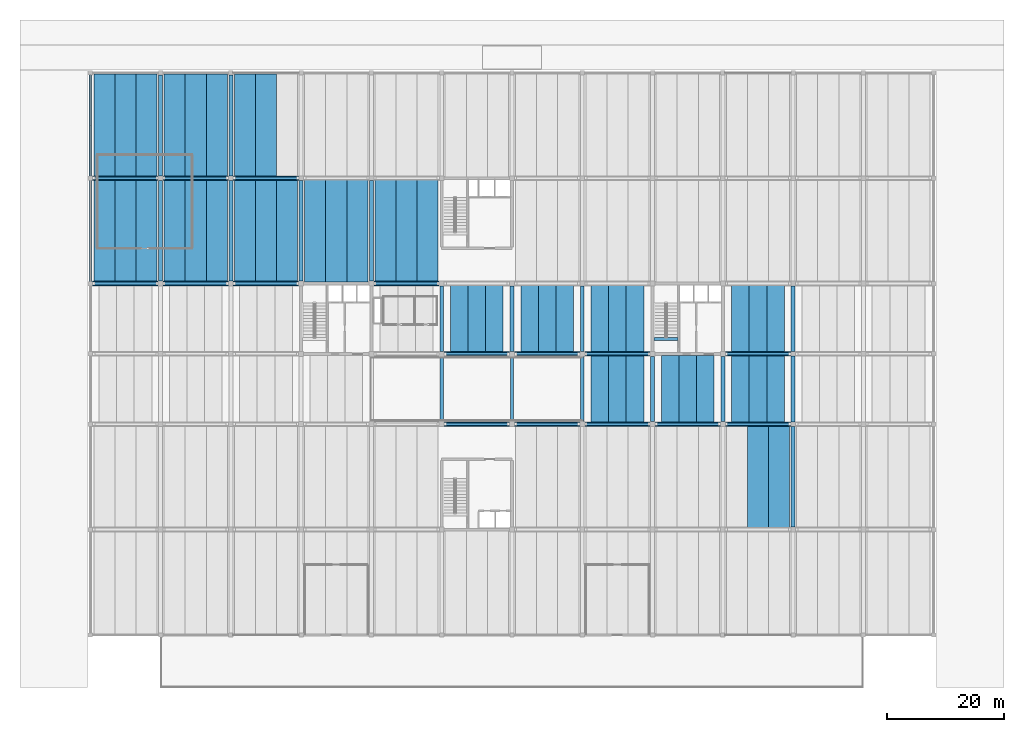
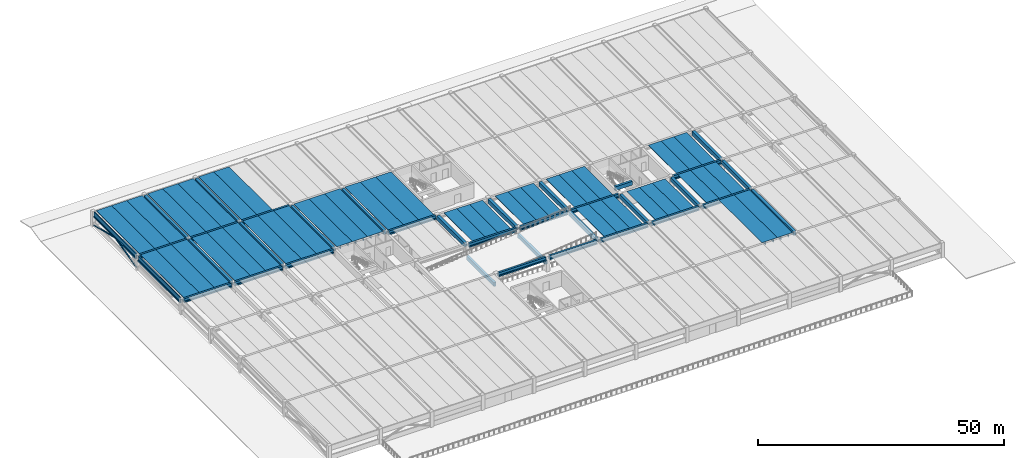
# One storey, part 3 of 16: 82 beams, 2 members.
"""IFC4 building model written with IfcOpenShell, lengths in metres."""

from ifc_helpers import new_model, si_unit, direction, frame, origin, origin_2d, place, context, subcontext, project, spatial, polyline, rectangle, hollow_rectangle, outline, extrude, material, material_profile, profile_set, type_object, element, save


model = new_model("IFC4")

# Units and contexts
model_context = context("Model", 3, precision=1e-05, world=origin(), true_north=direction((0.0, 1.0)))
body_context = subcontext(model_context, "Body", "Model", "MODEL_VIEW")
ifc_project = project(units=[si_unit("LENGTHUNIT", "METRE"), si_unit("AREAUNIT", "SQUARE_METRE"), si_unit("VOLUMEUNIT", "CUBIC_METRE"), si_unit("PLANEANGLEUNIT", "RADIAN"), si_unit("MASSUNIT", "GRAM", prefix="KILO")], contexts=[model_context])

# Site, building, storey
site_placement = place(None, origin())
site = spatial("IfcSite", under=ifc_project, at=site_placement, CompositionType="ELEMENT")
building_placement = place(site_placement, origin())
building = spatial("IfcBuilding", under=site, at=building_placement, Name="Girod Span Mobility Hub", CompositionType="ELEMENT")
storey_placement = place(building_placement, frame((0.0, 0.0, 21.0)))
storey = spatial("IfcBuildingStorey", under=building, at=storey_placement, Name="L05", CompositionType="ELEMENT", Elevation=21.0)

# Beams
ifc_material_1 = material(Name="Concrete C50/60", Category="concrete")
ifc_material_profile_1 = material_profile(ifc_material_1, outline(polyline([(-1.5, 0.300048828125), (-1.5, 0.2099609375), (-0.8349609375, 0.2099609375), (-0.8125, -0.300048828125), (-0.6875, -0.300048828125), (-0.6650390625, 0.2099609375), (0.6650390625, 0.2099609375), (0.6875, -0.300048828125), (0.8125, -0.300048828125), (0.8349609375, 0.2099609375), (1.5, 0.2099609375), (1.5, 0.300048828125), (-1.5, 0.300048828125)])), Name="DT-3000X600")
ifc_profile_set_1 = profile_set([ifc_material_profile_1], Name="Concrete C50/60")
beam_type_1 = type_object("IfcBeamType", Name="BM-DT-3000X600", PredefinedType="JOIST", material=ifc_profile_set_1)
for number, where, z_axis, x_axis, name in (
    (1, (75.0, 57.22705078125, 3.3349609375), (0.0, 1.0, 0.0), (-1.0, 0.0, 0.0), "Double-Tee Deck 7/E-1 L05"),
    (2, (78.0, 57.22705078125, 3.3349609375), (0.0, 1.0, 0.0), (-1.0, 0.0, 0.0), "Double-Tee Deck 7/E-2 L05"),
    (3, (81.0, 57.22705078125, 3.3349609375), (0.0, 1.0, 0.0), (-1.0, 0.0, 0.0), "Double-Tee Deck 7/E-3 L05"),
    (4, (87.0, 57.22705078125, 3.3349609375), (0.0, 1.0, 0.0), (-1.0, 0.0, 0.0), "Double-Tee Deck 8/E-1 L05"),
    (5, (90.0, 57.22705078125, 3.3349609375), (0.0, 1.0, 0.0), (-1.0, 0.0, 0.0), "Double-Tee Deck 8/E-2 L05"),
    (6, (93.0, 57.22705078125, 3.3349609375), (0.0, 1.0, 0.0), (-1.0, 0.0, 0.0), "Double-Tee Deck 8/E-3 L05"),
    (7, (99.0, 45.22705078125, 3.3349609375), (0.0, 1.0, 0.0), (-1.0, 0.0, 0.0), "Double-Tee Deck 9/D-1 L05"),
    (8, (102.0, 45.22705078125, 3.3349609375), (0.0, 1.0, 0.0), (-1.0, 0.0, 0.0), "Double-Tee Deck 9/D-2 L05"),
    (9, (105.0, 45.22705078125, 3.3349609375), (0.0, 1.0, 0.0), (-1.0, 0.0, 0.0), "Double-Tee Deck 9/D-3 L05"),
    (10, (99.0, 57.22705078125, 3.3349609375), (0.0, 1.0, 0.0), (-1.0, 0.0, 0.0), "Double-Tee Deck 9/E-1 L05"),
    (11, (102.0, 57.22705078125, 3.3349609375), (0.0, 1.0, 0.0), (-1.0, 0.0, 0.0), "Double-Tee Deck 9/E-2 L05"),
    (12, (105.0, 57.22705078125, 3.3349609375), (0.0, 1.0, 0.0), (-1.0, 0.0, 0.0), "Double-Tee Deck 9/E-3 L05"),
):
    element("IfcBeam", number, at=place(storey_placement, frame(where, z_axis=z_axis, x_axis=x_axis)), inside=storey, type_object=beam_type_1, Name=name, PredefinedType="JOIST", context=body_context, shape_type="SweptSolid", body=[
        extrude(outline(polyline([(-1.5, 0.300048828125), (-1.5, 0.2099609375), (-0.8349609375, 0.2099609375), (-0.8125, -0.300048828125), (-0.6875, -0.300048828125), (-0.6650390625, 0.2099609375), (0.6650390625, 0.2099609375), (0.6875, -0.300048828125), (0.8125, -0.300048828125), (0.8349609375, 0.2099609375), (1.5, 0.2099609375), (1.5, 0.300048828125), (-1.5, 0.300048828125)])), origin(), (0.0, 0.0, 1.0), 11.5458984375),
    ])
for number, where, z_axis, x_axis, name in (
    (13, (111.0, 45.22705078125, 3.3349609375), (0.0, 1.0, 0.0), (-1.0, 0.0, 0.0), "Double-Tee Deck 10/D-1 L05"),
    (14, (114.0, 45.22705078125, 3.3349609375), (0.0, 1.0, 0.0), (-1.0, 0.0, 0.0), "Double-Tee Deck 10/D-2 L05"),
    (15, (117.0, 45.22705078125, 3.3349609375), (0.0, 1.0, 0.0), (-1.0, 0.0, 0.0), "Double-Tee Deck 10/D-3 L05"),
):
    element("IfcBeam", number, at=place(storey_placement, frame(where, z_axis=z_axis, x_axis=x_axis)), inside=storey, type_object=beam_type_1, Name=name, PredefinedType="JOIST", context=body_context, shape_type="SweptSolid", body=[
        extrude(outline(polyline([(-1.5, 0.300048828125), (-1.5, 0.2099609375), (-0.8349609375, 0.2099609375), (-0.8125, -0.300048828125), (-0.6875, -0.300048828125), (-0.6650390625, 0.2099609375), (0.6650390625, 0.2099609375), (0.6875, -0.300048828125), (0.8125, -0.300048828125), (0.8349609375, 0.2099609375), (1.5, 0.2099609375), (1.5, 0.300048828125), (-1.5, 0.300048828125)])), origin(), (0.0, 0.0, 1.0), 11.52587890625),
    ])
for number, where, z_axis, x_axis, name in (
    (16, (123.0, 45.22705078125, 3.3349609375), (0.0, 1.0, 0.0), (-1.0, 0.0, 0.0), "Double-Tee Deck 11/D-1 L05"),
    (17, (126.0, 45.22705078125, 3.3349609375), (0.0, 1.0, 0.0), (-1.0, 0.0, 0.0), "Double-Tee Deck 11/D-2 L05"),
    (18, (129.0, 45.22705078125, 3.3349609375), (0.0, 1.0, 0.0), (-1.0, 0.0, 0.0), "Double-Tee Deck 11/D-3 L05"),
    (19, (123.0, 57.22705078125, 3.3349609375), (0.0, 1.0, 0.0), (-1.0, 0.0, 0.0), "Double-Tee Deck 11/E-1 L05"),
    (20, (126.0, 57.22705078125, 3.3349609375), (0.0, 1.0, 0.0), (-1.0, 0.0, 0.0), "Double-Tee Deck 11/E-2 L05"),
    (21, (129.0, 57.22705078125, 3.3349609375), (0.0, 1.0, 0.0), (-1.0, 0.0, 0.0), "Double-Tee Deck 11/E-3 L05"),
):
    element("IfcBeam", number, at=place(storey_placement, frame(where, z_axis=z_axis, x_axis=x_axis)), inside=storey, type_object=beam_type_1, Name=name, PredefinedType="JOIST", context=body_context, shape_type="SweptSolid", body=[
        extrude(outline(polyline([(-1.5, 0.300048828125), (-1.5, 0.2099609375), (-0.8349609375, 0.2099609375), (-0.8125, -0.300048828125), (-0.6875, -0.300048828125), (-0.6650390625, 0.2099609375), (0.6650390625, 0.2099609375), (0.6875, -0.300048828125), (0.8125, -0.300048828125), (0.8349609375, 0.2099609375), (1.5, 0.2099609375), (1.5, 0.300048828125), (-1.5, 0.300048828125)])), origin(), (0.0, 0.0, 1.0), 11.5458984375),
    ])
ifc_material_2 = material(Name="Concrete C50/60", Category="concrete")
ifc_material_profile_2 = material_profile(ifc_material_2, outline(polyline([(-1.800048828125, 0.425048828125), (-1.800048828125, 0.324951171875), (-1.0, 0.324951171875), (-0.969970703125, -0.425048828125), (-0.830078125, -0.425048828125), (-0.800048828125, 0.324951171875), (0.800048828125, 0.324951171875), (0.830078125, -0.425048828125), (0.969970703125, -0.425048828125), (1.0, 0.324951171875), (1.800048828125, 0.324951171875), (1.800048828125, 0.425048828125), (-1.800048828125, 0.425048828125)])), Name="DT-3600X850")
ifc_profile_set_2 = profile_set([ifc_material_profile_2], Name="Concrete C50/60")
beam_type_2 = type_object("IfcBeamType", Name="BM-DT-3600X850", PredefinedType="JOIST", material=ifc_profile_set_2)
for number, where, z_axis, x_axis, name in (
    (22, (14.39990234375, 69.22705078125, 3.2099609375), (0.0, 1.0, 0.0), (-1.0, 0.0, 0.0), "Double-Tee Deck 2/F-1 L05"),
    (23, (18.0, 69.22705078125, 3.2099609375), (0.0, 1.0, 0.0), (-1.0, 0.0, 0.0), "Double-Tee Deck 2/F-2 L05"),
    (24, (21.60009765625, 69.22705078125, 3.2099609375), (0.0, 1.0, 0.0), (-1.0, 0.0, 0.0), "Double-Tee Deck 2/F-3 L05"),
):
    element("IfcBeam", number, at=place(storey_placement, frame(where, z_axis=z_axis, x_axis=x_axis)), inside=storey, type_object=beam_type_2, Name=name, PredefinedType="JOIST", context=body_context, shape_type="SweptSolid", body=[
        extrude(outline(polyline([(-1.800048828125, 0.425048828125), (-1.800048828125, 0.324951171875), (-1.0, 0.324951171875), (-0.969970703125, -0.425048828125), (-0.830078125, -0.425048828125), (-0.800048828125, 0.324951171875), (0.800048828125, 0.324951171875), (0.830078125, -0.425048828125), (0.969970703125, -0.425048828125), (1.0, 0.324951171875), (1.800048828125, 0.324951171875), (1.800048828125, 0.425048828125), (-1.800048828125, 0.425048828125)])), origin(), (0.0, 0.0, 1.0), 17.5458984375),
    ])
for number, where, z_axis, x_axis, name in (
    (25, (14.39990234375, 87.22705078125, 3.2099609375), (0.0, 1.0, 0.0), (-1.0, 0.0, 0.0), "Double-Tee Deck 2/G-1 L05"),
    (26, (18.0, 87.22705078125, 3.2099609375), (0.0, 1.0, 0.0), (-1.0, 0.0, 0.0), "Double-Tee Deck 2/G-2 L05"),
    (27, (21.60009765625, 87.22705078125, 3.2099609375), (0.0, 1.0, 0.0), (-1.0, 0.0, 0.0), "Double-Tee Deck 2/G-3 L05"),
):
    element("IfcBeam", number, at=place(storey_placement, frame(where, z_axis=z_axis, x_axis=x_axis)), inside=storey, type_object=beam_type_2, Name=name, PredefinedType="JOIST", context=body_context, shape_type="SweptSolid", body=[
        extrude(outline(polyline([(-1.800048828125, 0.425048828125), (-1.800048828125, 0.324951171875), (-1.0, 0.324951171875), (-0.969970703125, -0.425048828125), (-0.830078125, -0.425048828125), (-0.800048828125, 0.324951171875), (0.800048828125, 0.324951171875), (0.830078125, -0.425048828125), (0.969970703125, -0.425048828125), (1.0, 0.324951171875), (1.800048828125, 0.324951171875), (1.800048828125, 0.425048828125), (-1.800048828125, 0.425048828125)])), origin(), (0.0, 0.0, 1.0), 17.575927734375),
    ])
for number, where, z_axis, x_axis, name in (
    (28, (26.39990234375, 69.22705078125, 3.2099609375), (0.0, 1.0, 0.0), (-1.0, 0.0, 0.0), "Double-Tee Deck 3/F-1 L05"),
    (29, (30.0, 69.22705078125, 3.2099609375), (0.0, 1.0, 0.0), (-1.0, 0.0, 0.0), "Double-Tee Deck 3/F-2 L05"),
    (30, (33.60009765625, 69.22705078125, 3.2099609375), (0.0, 1.0, 0.0), (-1.0, 0.0, 0.0), "Double-Tee Deck 3/F-3 L05"),
):
    element("IfcBeam", number, at=place(storey_placement, frame(where, z_axis=z_axis, x_axis=x_axis)), inside=storey, type_object=beam_type_2, Name=name, PredefinedType="JOIST", context=body_context, shape_type="SweptSolid", body=[
        extrude(outline(polyline([(-1.800048828125, 0.425048828125), (-1.800048828125, 0.324951171875), (-1.0, 0.324951171875), (-0.969970703125, -0.425048828125), (-0.830078125, -0.425048828125), (-0.800048828125, 0.324951171875), (0.800048828125, 0.324951171875), (0.830078125, -0.425048828125), (0.969970703125, -0.425048828125), (1.0, 0.324951171875), (1.800048828125, 0.324951171875), (1.800048828125, 0.425048828125), (-1.800048828125, 0.425048828125)])), origin(), (0.0, 0.0, 1.0), 17.5458984375),
    ])
for number, where, z_axis, x_axis, name in (
    (31, (26.39990234375, 87.22705078125, 3.2099609375), (0.0, 1.0, 0.0), (-1.0, 0.0, 0.0), "Double-Tee Deck 3/G-1 L05"),
    (32, (30.0, 87.22705078125, 3.2099609375), (0.0, 1.0, 0.0), (-1.0, 0.0, 0.0), "Double-Tee Deck 3/G-2 L05"),
    (33, (33.60009765625, 87.22705078125, 3.2099609375), (0.0, 1.0, 0.0), (-1.0, 0.0, 0.0), "Double-Tee Deck 3/G-3 L05"),
):
    element("IfcBeam", number, at=place(storey_placement, frame(where, z_axis=z_axis, x_axis=x_axis)), inside=storey, type_object=beam_type_2, Name=name, PredefinedType="JOIST", context=body_context, shape_type="SweptSolid", body=[
        extrude(outline(polyline([(-1.800048828125, 0.425048828125), (-1.800048828125, 0.324951171875), (-1.0, 0.324951171875), (-0.969970703125, -0.425048828125), (-0.830078125, -0.425048828125), (-0.800048828125, 0.324951171875), (0.800048828125, 0.324951171875), (0.830078125, -0.425048828125), (0.969970703125, -0.425048828125), (1.0, 0.324951171875), (1.800048828125, 0.324951171875), (1.800048828125, 0.425048828125), (-1.800048828125, 0.425048828125)])), origin(), (0.0, 0.0, 1.0), 17.575927734375),
    ])
for number, where, z_axis, x_axis, name in (
    (34, (38.39990234375, 69.22705078125, 3.2099609375), (0.0, 1.0, 0.0), (-1.0, 0.0, 0.0), "Double-Tee Deck 4/F-1 L05"),
    (35, (42.0, 69.22705078125, 3.2099609375), (0.0, 1.0, 0.0), (-1.0, 0.0, 0.0), "Double-Tee Deck 4/F-2 L05"),
    (36, (45.60009765625, 69.22705078125, 3.2099609375), (0.0, 1.0, 0.0), (-1.0, 0.0, 0.0), "Double-Tee Deck 4/F-3 L05"),
):
    element("IfcBeam", number, at=place(storey_placement, frame(where, z_axis=z_axis, x_axis=x_axis)), inside=storey, type_object=beam_type_2, Name=name, PredefinedType="JOIST", context=body_context, shape_type="SweptSolid", body=[
        extrude(outline(polyline([(-1.800048828125, 0.425048828125), (-1.800048828125, 0.324951171875), (-1.0, 0.324951171875), (-0.969970703125, -0.425048828125), (-0.830078125, -0.425048828125), (-0.800048828125, 0.324951171875), (0.800048828125, 0.324951171875), (0.830078125, -0.425048828125), (0.969970703125, -0.425048828125), (1.0, 0.324951171875), (1.800048828125, 0.324951171875), (1.800048828125, 0.425048828125), (-1.800048828125, 0.425048828125)])), origin(), (0.0, 0.0, 1.0), 17.5458984375),
    ])
for number, where, z_axis, x_axis, name in (
    (37, (38.39990234375, 87.22705078125, 3.2099609375), (0.0, 1.0, 0.0), (-1.0, 0.0, 0.0), "Double-Tee Deck 4/G-1 L05"),
    (38, (42.0, 87.22705078125, 3.2099609375), (0.0, 1.0, 0.0), (-1.0, 0.0, 0.0), "Double-Tee Deck 4/G-2 L05"),
):
    element("IfcBeam", number, at=place(storey_placement, frame(where, z_axis=z_axis, x_axis=x_axis)), inside=storey, type_object=beam_type_2, Name=name, PredefinedType="JOIST", context=body_context, shape_type="SweptSolid", body=[
        extrude(outline(polyline([(-1.800048828125, 0.425048828125), (-1.800048828125, 0.324951171875), (-1.0, 0.324951171875), (-0.969970703125, -0.425048828125), (-0.830078125, -0.425048828125), (-0.800048828125, 0.324951171875), (0.800048828125, 0.324951171875), (0.830078125, -0.425048828125), (0.969970703125, -0.425048828125), (1.0, 0.324951171875), (1.800048828125, 0.324951171875), (1.800048828125, 0.425048828125), (-1.800048828125, 0.425048828125)])), origin(), (0.0, 0.0, 1.0), 17.575927734375),
    ])
for number, where, z_axis, x_axis, name in (
    (39, (50.39990234375, 69.2470703125, 3.2099609375), (0.0, 1.0, 0.0), (-1.0, 0.0, 0.0), "Double-Tee Deck 5/F-1 L05"),
    (40, (54.0, 69.2470703125, 3.2099609375), (0.0, 1.0, 0.0), (-1.0, 0.0, 0.0), "Double-Tee Deck 5/F-2 L05"),
    (41, (57.60009765625, 69.2470703125, 3.2099609375), (0.0, 1.0, 0.0), (-1.0, 0.0, 0.0), "Double-Tee Deck 5/F-3 L05"),
):
    element("IfcBeam", number, at=place(storey_placement, frame(where, z_axis=z_axis, x_axis=x_axis)), inside=storey, type_object=beam_type_2, Name=name, PredefinedType="JOIST", context=body_context, shape_type="SweptSolid", body=[
        extrude(outline(polyline([(-1.800048828125, 0.425048828125), (-1.800048828125, 0.324951171875), (-1.0, 0.324951171875), (-0.969970703125, -0.425048828125), (-0.830078125, -0.425048828125), (-0.800048828125, 0.324951171875), (0.800048828125, 0.324951171875), (0.830078125, -0.425048828125), (0.969970703125, -0.425048828125), (1.0, 0.324951171875), (1.800048828125, 0.324951171875), (1.800048828125, 0.425048828125), (-1.800048828125, 0.425048828125)])), origin(), (0.0, 0.0, 1.0), 17.52587890625),
    ])
for number, where, z_axis, x_axis, name in (
    (42, (62.39990234375, 69.22705078125, 3.2099609375), (0.0, 1.0, 0.0), (-1.0, 0.0, 0.0), "Double-Tee Deck 6/F-1 L05"),
    (43, (66.0, 69.22705078125, 3.2099609375), (0.0, 1.0, 0.0), (-1.0, 0.0, 0.0), "Double-Tee Deck 6/F-2 L05"),
    (44, (69.60009765625, 69.22705078125, 3.2099609375), (0.0, 1.0, 0.0), (-1.0, 0.0, 0.0), "Double-Tee Deck 6/F-3 L05"),
    (45, (126.0, 27.22705078125, 3.2099609375), (0.0, 1.0, 0.0), (-1.0, 0.0, 0.0), "Double-Tee Deck 11/C-2 L05"),
    (46, (129.60009765625, 27.22705078125, 3.2099609375), (0.0, 1.0, 0.0), (-1.0, 0.0, 0.0), "Double-Tee Deck 11/C-3 L05"),
):
    element("IfcBeam", number, at=place(storey_placement, frame(where, z_axis=z_axis, x_axis=x_axis)), inside=storey, type_object=beam_type_2, Name=name, PredefinedType="JOIST", context=body_context, shape_type="SweptSolid", body=[
        extrude(outline(polyline([(-1.800048828125, 0.425048828125), (-1.800048828125, 0.324951171875), (-1.0, 0.324951171875), (-0.969970703125, -0.425048828125), (-0.830078125, -0.425048828125), (-0.800048828125, 0.324951171875), (0.800048828125, 0.324951171875), (0.830078125, -0.425048828125), (0.969970703125, -0.425048828125), (1.0, 0.324951171875), (1.800048828125, 0.324951171875), (1.800048828125, 0.425048828125), (-1.800048828125, 0.425048828125)])), origin(), (0.0, 0.0, 1.0), 17.5458984375),
    ])
ifc_material_3 = material(Name="Concrete C50/60", Category="concrete")
ifc_material_profile_3 = material_profile(ifc_material_3, outline(polyline([(-0.39990234375, -0.449951171875), (0.39990234375, -0.449951171875), (0.39990234375, -0.14990234375), (0.22998046875, -0.14990234375), (0.22998046875, 0.449951171875), (-0.22998046875, 0.449951171875), (-0.22998046875, -0.14990234375), (-0.39990234375, -0.14990234375), (-0.39990234375, -0.449951171875)])), Name="IT-800X900")
ifc_profile_set_3 = profile_set([ifc_material_profile_3], Name="Concrete C50/60")
beam_type_3 = type_object("IfcBeamType", Name="BM-IT-800X900", PredefinedType="T_BEAM", material=ifc_profile_set_3)
for number, where, z_axis, x_axis, name in (
    (47, (72.422119140625, 45.0, 3.18505859375), (1.0, 0.0, 0.0), (0.0, 1.0, 0.0), "Girder 7-8/D L05"),
    (48, (84.422119140625, 45.0, 3.18505859375), (1.0, 0.0, 0.0), (0.0, 1.0, 0.0), "Girder 8-9/D L05"),
    (49, (96.422119140625, 45.0, 3.18505859375), (1.0, 0.0, 0.0), (0.0, 1.0, 0.0), "Girder 9-10/D L05"),
    (50, (108.422119140625, 45.0, 3.18505859375), (1.0, 0.0, 0.0), (0.0, 1.0, 0.0), "Girder 10-11/D L05"),
):
    element("IfcBeam", number, at=place(storey_placement, frame(where, z_axis=z_axis, x_axis=x_axis)), inside=storey, type_object=beam_type_3, Name=name, PredefinedType="T_BEAM", context=body_context, shape_type="SweptSolid", body=[
        extrude(outline(polyline([(-0.39990234375, -0.449951171875), (0.39990234375, -0.449951171875), (0.39990234375, -0.14990234375), (0.22998046875, -0.14990234375), (0.22998046875, 0.449951171875), (-0.22998046875, 0.449951171875), (-0.22998046875, -0.14990234375), (-0.39990234375, -0.14990234375), (-0.39990234375, -0.449951171875)])), origin(), (0.0, 0.0, 1.0), 11.15576171875),
    ])
beam_1_placement = place(storey_placement, frame((120.422119140625, 45.0, 3.18505859375), z_axis=(1.0, 0.0, 0.0), x_axis=(0.0, 1.0, 0.0)))
element("IfcBeam", 51, at=beam_1_placement, inside=storey, type_object=beam_type_3, Name="Girder 11-12/D L05", PredefinedType="T_BEAM", context=body_context, shape_type="SweptSolid", body=[
    extrude(outline(polyline([(-0.39990234375, -0.449951171875), (0.39990234375, -0.449951171875), (0.39990234375, -0.14990234375), (0.22998046875, -0.14990234375), (0.22998046875, 0.449951171875), (-0.22998046875, 0.449951171875), (-0.22998046875, -0.14990234375), (-0.39990234375, -0.14990234375), (-0.39990234375, -0.449951171875)])), origin(), (0.0, 0.0, 1.0), 11.180908203125),
])
for number, where, z_axis, x_axis, name in (
    (52, (72.422119140625, 57.0, 3.18505859375), (1.0, 0.0, 0.0), (0.0, 1.0, 0.0), "Girder 7-8/E L05"),
    (53, (84.422119140625, 57.0, 3.18505859375), (1.0, 0.0, 0.0), (0.0, 1.0, 0.0), "Girder 8-9/E L05"),
    (54, (96.422119140625, 57.0, 3.18505859375), (1.0, 0.0, 0.0), (0.0, 1.0, 0.0), "Girder 9-10/E L05"),
):
    element("IfcBeam", number, at=place(storey_placement, frame(where, z_axis=z_axis, x_axis=x_axis)), inside=storey, type_object=beam_type_3, Name=name, PredefinedType="T_BEAM", context=body_context, shape_type="SweptSolid", body=[
        extrude(outline(polyline([(-0.39990234375, -0.449951171875), (0.39990234375, -0.449951171875), (0.39990234375, -0.14990234375), (0.22998046875, -0.14990234375), (0.22998046875, 0.449951171875), (-0.22998046875, 0.449951171875), (-0.22998046875, -0.14990234375), (-0.39990234375, -0.14990234375), (-0.39990234375, -0.449951171875)])), origin(), (0.0, 0.0, 1.0), 11.15576171875),
    ])
beam_2_placement = place(storey_placement, frame((120.422119140625, 57.0, 3.18505859375), z_axis=(1.0, 0.0, 0.0), x_axis=(0.0, 1.0, 0.0)))
element("IfcBeam", 55, at=beam_2_placement, inside=storey, type_object=beam_type_3, Name="Girder 11-12/E L05", PredefinedType="T_BEAM", context=body_context, shape_type="SweptSolid", body=[
    extrude(outline(polyline([(-0.39990234375, -0.449951171875), (0.39990234375, -0.449951171875), (0.39990234375, -0.14990234375), (0.22998046875, -0.14990234375), (0.22998046875, 0.449951171875), (-0.22998046875, 0.449951171875), (-0.22998046875, -0.14990234375), (-0.39990234375, -0.14990234375), (-0.39990234375, -0.449951171875)])), origin(), (0.0, 0.0, 1.0), 11.180908203125),
])
beam_3_placement = place(storey_placement, frame((12.3720703125, 69.0, 3.18505859375), z_axis=(1.0, 0.0, 0.0), x_axis=(0.0, 1.0, 0.0)))
element("IfcBeam", 56, at=beam_3_placement, inside=storey, type_object=beam_type_3, Name="Girder 2-3/F L05", PredefinedType="T_BEAM", context=body_context, shape_type="SweptSolid", body=[
    extrude(outline(polyline([(-0.39990234375, -0.449951171875), (0.39990234375, -0.449951171875), (0.39990234375, -0.14990234375), (0.22998046875, -0.14990234375), (0.22998046875, 0.449951171875), (-0.22998046875, 0.449951171875), (-0.22998046875, -0.14990234375), (-0.39990234375, -0.14990234375), (-0.39990234375, -0.449951171875)])), origin(), (0.0, 0.0, 1.0), 11.23095703125),
])
beam_4_placement = place(storey_placement, frame((24.39697265625, 69.0, 3.18505859375), z_axis=(1.0, 0.0, 0.0), x_axis=(0.0, 1.0, 0.0)))
element("IfcBeam", 57, at=beam_4_placement, inside=storey, type_object=beam_type_3, Name="Girder 3-4/F L05", PredefinedType="T_BEAM", context=body_context, shape_type="SweptSolid", body=[
    extrude(outline(polyline([(-0.39990234375, -0.449951171875), (0.39990234375, -0.449951171875), (0.39990234375, -0.14990234375), (0.22998046875, -0.14990234375), (0.22998046875, 0.449951171875), (-0.22998046875, 0.449951171875), (-0.22998046875, -0.14990234375), (-0.39990234375, -0.14990234375), (-0.39990234375, -0.449951171875)])), origin(), (0.0, 0.0, 1.0), 11.2060546875),
])
beam_5_placement = place(storey_placement, frame((36.39697265625, 69.0, 3.18505859375), z_axis=(1.0, 0.0, 0.0), x_axis=(0.0, 1.0, 0.0)))
element("IfcBeam", 58, at=beam_5_placement, inside=storey, type_object=beam_type_3, Name="Girder 4-5/F L05", PredefinedType="T_BEAM", context=body_context, shape_type="SweptSolid", body=[
    extrude(outline(polyline([(-0.39990234375, -0.449951171875), (0.39990234375, -0.449951171875), (0.39990234375, -0.14990234375), (0.22998046875, -0.14990234375), (0.22998046875, 0.449951171875), (-0.22998046875, 0.449951171875), (-0.22998046875, -0.14990234375), (-0.39990234375, -0.14990234375), (-0.39990234375, -0.449951171875)])), origin(), (0.0, 0.0, 1.0), 11.180908203125),
])
beam_6_placement = place(storey_placement, frame((60.422119140625, 69.0, 3.18505859375), z_axis=(1.0, 0.0, 0.0), x_axis=(0.0, 1.0, 0.0)))
element("IfcBeam", 59, at=beam_6_placement, inside=storey, type_object=beam_type_3, Name="Girder 6-7/F L05", PredefinedType="T_BEAM", context=body_context, shape_type="SweptSolid", body=[
    extrude(outline(polyline([(-0.39990234375, -0.449951171875), (0.39990234375, -0.449951171875), (0.39990234375, -0.14990234375), (0.22998046875, -0.14990234375), (0.22998046875, 0.449951171875), (-0.22998046875, 0.449951171875), (-0.22998046875, -0.14990234375), (-0.39990234375, -0.14990234375), (-0.39990234375, -0.449951171875)])), origin(), (0.0, 0.0, 1.0), 11.15576171875),
])
beam_7_placement = place(storey_placement, frame((12.3720703125, 87.0, 3.18505859375), z_axis=(1.0, 0.0, 0.0), x_axis=(0.0, 1.0, 0.0)))
element("IfcBeam", 60, at=beam_7_placement, inside=storey, type_object=beam_type_3, Name="Girder 2-3/G L05", PredefinedType="T_BEAM", context=body_context, shape_type="SweptSolid", body=[
    extrude(outline(polyline([(-0.39990234375, -0.449951171875), (0.39990234375, -0.449951171875), (0.39990234375, -0.14990234375), (0.22998046875, -0.14990234375), (0.22998046875, 0.449951171875), (-0.22998046875, 0.449951171875), (-0.22998046875, -0.14990234375), (-0.39990234375, -0.14990234375), (-0.39990234375, -0.449951171875)])), origin(), (0.0, 0.0, 1.0), 11.23095703125),
])
for number, where, z_axis, x_axis, name in (
    (61, (24.39697265625, 87.0, 3.18505859375), (1.0, 0.0, 0.0), (0.0, 1.0, 0.0), "Girder 3-4/G L05"),
    (62, (36.39697265625, 87.0, 3.18505859375), (1.0, 0.0, 0.0), (0.0, 1.0, 0.0), "Girder 4-5/G L05"),
):
    element("IfcBeam", number, at=place(storey_placement, frame(where, z_axis=z_axis, x_axis=x_axis)), inside=storey, type_object=beam_type_3, Name=name, PredefinedType="T_BEAM", context=body_context, shape_type="SweptSolid", body=[
        extrude(outline(polyline([(-0.39990234375, -0.449951171875), (0.39990234375, -0.449951171875), (0.39990234375, -0.14990234375), (0.22998046875, -0.14990234375), (0.22998046875, 0.449951171875), (-0.22998046875, 0.449951171875), (-0.22998046875, -0.14990234375), (-0.39990234375, -0.14990234375), (-0.39990234375, -0.449951171875)])), origin(), (0.0, 0.0, 1.0), 11.2060546875),
    ])
ifc_material_4 = material(Name="Concrete C40/50", Category="concrete")
ifc_material_profile_4 = material_profile(ifc_material_4, rectangle(XDim=0.550048828125, YDim=0.949951171875, at=origin_2d()), Name="RK-550X950")
ifc_profile_set_4 = profile_set([ifc_material_profile_4], Name="Concrete C40/50")
beam_type_4 = type_object("IfcBeamType", Name="BM-RK-550X950", PredefinedType="BEAM", material=ifc_profile_set_4)
beam_8_placement = place(storey_placement, frame((108.2470703125, 59.550048828125, 3.159912109375), z_axis=(1.0, 0.0, 0.0), x_axis=(0.0, 1.0, 0.0)))
element("IfcBeam", 63, at=beam_8_placement, inside=storey, type_object=beam_type_4, Name="Stair ST-2 Landing Header Beam L05", PredefinedType="BEAM", context=body_context, shape_type="SweptSolid", body=[
    extrude(rectangle(XDim=0.550048828125, YDim=0.949951171875, at=origin_2d()), origin(), (0.0, 0.0, 1.0), 4.055908203125),
])
for number, where, z_axis, x_axis, name in (
    (64, (72.0, 45.422119140625, 0.51171875), (0.0, 1.0, 0.0), (-1.0, 0.0, 0.0), "Vehicular Ramp Support Beam X=72 L05"),
    (65, (84.0, 45.422119140625, 1.7783203125), (0.0, 1.0, 0.0), (-1.0, 0.0, 0.0), "Vehicular Ramp Support Beam X=84 L05"),
):
    element("IfcBeam", number, at=place(storey_placement, frame(where, z_axis=z_axis, x_axis=x_axis)), inside=storey, type_object=beam_type_4, Name=name, PredefinedType="BEAM", context=body_context, shape_type="SweptSolid", body=[
        extrude(rectangle(XDim=0.550048828125, YDim=0.949951171875, at=origin_2d()), origin(), (0.0, 0.0, 1.0), 11.15576171875),
    ])
ifc_material_5 = material(Name="Concrete C40/50", Category="concrete")
ifc_material_profile_5 = material_profile(ifc_material_5, outline(polyline([(-0.199951171875, -0.625), (0.199951171875, -0.625), (0.199951171875, -0.304931640625), (0.02001953125, -0.304931640625), (0.02001953125, 0.625), (-0.199951171875, 0.625), (-0.199951171875, -0.625)])), Name="SP-400X1250")
ifc_profile_set_5 = profile_set([ifc_material_profile_5], Name="Concrete C40/50")
beam_type_5 = type_object("IfcBeamType", Name="BM-SP-400X1250", PredefinedType="SPANDREL", material=ifc_profile_set_5)
for number, where, z_axis, x_axis, name in (
    (66, (12.0, 69.3720703125, 3.010009765625), (0.0, 1.0, 0.0), (-1.0, 0.0, 0.0), "Tie Girder 2/F-G L05"),
    (67, (12.0, 87.3720703125, 3.010009765625), (0.0, 1.0, 0.0), (-1.0, 0.0, 0.0), "Tie Girder 2/G-H L05"),
):
    element("IfcBeam", number, at=place(storey_placement, frame(where, z_axis=z_axis, x_axis=x_axis)), inside=storey, type_object=beam_type_5, Name=name, PredefinedType="SPANDREL", context=body_context, shape_type="SweptSolid", body=[
        extrude(outline(polyline([(-0.199951171875, -0.625), (0.199951171875, -0.625), (0.199951171875, -0.304931640625), (0.02001953125, -0.304931640625), (0.02001953125, 0.625), (-0.199951171875, 0.625), (-0.199951171875, -0.625)])), origin(), (0.0, 0.0, 1.0), 17.255859375),
    ])
ifc_material_6 = material(Name="Concrete C40/50", Category="concrete")
ifc_material_profile_6 = material_profile(ifc_material_6, rectangle(XDim=0.64990234375, YDim=1.0, at=origin_2d()), Name="TG-650X1000")
ifc_profile_set_6 = profile_set([ifc_material_profile_6], Name="Concrete C40/50")
beam_type_6 = type_object("IfcBeamType", Name="BM-TG-650X1000", PredefinedType="T_BEAM", material=ifc_profile_set_6)
beam_9_placement = place(storey_placement, frame((24.0, 69.39697265625, 3.135009765625), z_axis=(0.0, 1.0, 0.0), x_axis=(-1.0, 0.0, 0.0)))
element("IfcBeam", 68, at=beam_9_placement, inside=storey, type_object=beam_type_6, Name="Tie Girder 3/F-G L05", PredefinedType="T_BEAM", context=body_context, shape_type="SweptSolid", body=[
    extrude(rectangle(XDim=0.64990234375, YDim=1.0, at=origin_2d()), origin(), (0.0, 0.0, 1.0), 17.2060546875),
])
beam_10_placement = place(storey_placement, frame((24.0, 87.39697265625, 3.135009765625), z_axis=(0.0, 1.0, 0.0), x_axis=(-1.0, 0.0, 0.0)))
element("IfcBeam", 69, at=beam_10_placement, inside=storey, type_object=beam_type_6, Name="Tie Girder 3/G-H L05", PredefinedType="T_BEAM", context=body_context, shape_type="SweptSolid", body=[
    extrude(rectangle(XDim=0.64990234375, YDim=1.0, at=origin_2d()), origin(), (0.0, 0.0, 1.0), 17.23095703125),
])
beam_11_placement = place(storey_placement, frame((36.0, 69.39697265625, 3.135009765625), z_axis=(0.0, 1.0, 0.0), x_axis=(-1.0, 0.0, 0.0)))
element("IfcBeam", 70, at=beam_11_placement, inside=storey, type_object=beam_type_6, Name="Tie Girder 4/F-G L05", PredefinedType="T_BEAM", context=body_context, shape_type="SweptSolid", body=[
    extrude(rectangle(XDim=0.64990234375, YDim=1.0, at=origin_2d()), origin(), (0.0, 0.0, 1.0), 17.2060546875),
])
beam_12_placement = place(storey_placement, frame((36.0, 87.39697265625, 3.135009765625), z_axis=(0.0, 1.0, 0.0), x_axis=(-1.0, 0.0, 0.0)))
element("IfcBeam", 71, at=beam_12_placement, inside=storey, type_object=beam_type_6, Name="Tie Girder 4/G-H L05", PredefinedType="T_BEAM", context=body_context, shape_type="SweptSolid", body=[
    extrude(rectangle(XDim=0.64990234375, YDim=1.0, at=origin_2d()), origin(), (0.0, 0.0, 1.0), 17.23095703125),
])
for number, where, z_axis, x_axis, name in (
    (72, (48.0, 69.422119140625, 3.135009765625), (0.0, 1.0, 0.0), (-1.0, 0.0, 0.0), "Tie Girder 5/F-G L05"),
    (73, (60.0, 69.422119140625, 3.135009765625), (0.0, 1.0, 0.0), (-1.0, 0.0, 0.0), "Tie Girder 6/F-G L05"),
):
    element("IfcBeam", number, at=place(storey_placement, frame(where, z_axis=z_axis, x_axis=x_axis)), inside=storey, type_object=beam_type_6, Name=name, PredefinedType="T_BEAM", context=body_context, shape_type="SweptSolid", body=[
        extrude(rectangle(XDim=0.64990234375, YDim=1.0, at=origin_2d()), origin(), (0.0, 0.0, 1.0), 17.180908203125),
    ])
for number, where, z_axis, x_axis, name in (
    (74, (72.0, 57.422119140625, 3.135009765625), (0.0, 1.0, 0.0), (-1.0, 0.0, 0.0), "Tie Girder 7/E-F L05"),
    (75, (84.0, 57.422119140625, 3.135009765625), (0.0, 1.0, 0.0), (-1.0, 0.0, 0.0), "Tie Girder 8/E-F L05"),
    (76, (96.0, 45.422119140625, 3.135009765625), (0.0, 1.0, 0.0), (-1.0, 0.0, 0.0), "Tie Girder 9/D-E L05"),
    (77, (96.0, 57.422119140625, 3.135009765625), (0.0, 1.0, 0.0), (-1.0, 0.0, 0.0), "Tie Girder 9/E-F L05"),
    (78, (108.0, 45.422119140625, 3.135009765625), (0.0, 1.0, 0.0), (-1.0, 0.0, 0.0), "Tie Girder 10/D-E L05"),
    (79, (120.0, 45.422119140625, 3.135009765625), (0.0, 1.0, 0.0), (-1.0, 0.0, 0.0), "Tie Girder 11/D-E L05"),
):
    element("IfcBeam", number, at=place(storey_placement, frame(where, z_axis=z_axis, x_axis=x_axis)), inside=storey, type_object=beam_type_6, Name=name, PredefinedType="T_BEAM", context=body_context, shape_type="SweptSolid", body=[
        extrude(rectangle(XDim=0.64990234375, YDim=1.0, at=origin_2d()), origin(), (0.0, 0.0, 1.0), 11.15576171875),
    ])
beam_13_placement = place(storey_placement, frame((132.0, 27.39697265625, 3.135009765625), z_axis=(0.0, 1.0, 0.0), x_axis=(-1.0, 0.0, 0.0)))
element("IfcBeam", 80, at=beam_13_placement, inside=storey, type_object=beam_type_6, Name="Tie Girder 12/C-D L05", PredefinedType="T_BEAM", context=body_context, shape_type="SweptSolid", body=[
    extrude(rectangle(XDim=0.64990234375, YDim=1.0, at=origin_2d()), origin(), (0.0, 0.0, 1.0), 17.2060546875),
])
for number, where, z_axis, x_axis, name in (
    (81, (132.0, 45.39697265625, 3.135009765625), (0.0, 1.0, 0.0), (-1.0, 0.0, 0.0), "Tie Girder 12/D-E L05"),
    (82, (132.0, 57.39697265625, 3.135009765625), (0.0, 1.0, 0.0), (-1.0, 0.0, 0.0), "Tie Girder 12/E-F L05"),
):
    element("IfcBeam", number, at=place(storey_placement, frame(where, z_axis=z_axis, x_axis=x_axis)), inside=storey, type_object=beam_type_6, Name=name, PredefinedType="T_BEAM", context=body_context, shape_type="SweptSolid", body=[
        extrude(rectangle(XDim=0.64990234375, YDim=1.0, at=origin_2d()), origin(), (0.0, 0.0, 1.0), 11.2060546875),
    ])

# Members
ifc_material_7 = material(Name="Steel HSS A500 Grade C", Category="steel")
ifc_material_profile_7 = material_profile(ifc_material_7, hollow_rectangle(XDim=0.25390625, YDim=0.25390625, WallThickness=0.01171875, InnerFilletRadius=0.01171875, OuterFilletRadius=0.023681640625, at=origin_2d()), Name="HSS254X254X12.7")
ifc_profile_set_7 = profile_set([ifc_material_profile_7], Name="Steel HSS A500 Grade C")
member_type = type_object("IfcMemberType", Name="MB-BR-HSS254", PredefinedType="BRACE", material=ifc_profile_set_7)
for number, where, z_axis, x_axis, name in (
    (83, (12.0, 87.35498046875, 0.35009765625), (0.0, 0.971353290463, 0.237640032626), (-1.0, 0.0, 0.0), "Side Chevron Brace 2/G-S L05"),
    (84, (12.0, 104.64501953125, 0.35009765625), (0.0, -0.971353290463, 0.237640032626), (1.0, 0.0, 0.0), "Side Chevron Brace 2/G-N L05"),
):
    element("IfcMember", number, at=place(storey_placement, frame(where, z_axis=z_axis, x_axis=x_axis)), inside=storey, type_object=member_type, Name=name, PredefinedType="BRACE", context=body_context, shape_type="SweptSolid", body=[
        extrude(hollow_rectangle(XDim=0.25390625, YDim=0.25390625, WallThickness=0.01171875, InnerFilletRadius=0.01171875, OuterFilletRadius=0.023681640625, at=origin_2d()), origin(), (0.0, 0.0, 1.0), 8.89990234375),
    ])

save(model, "model.ifc")
